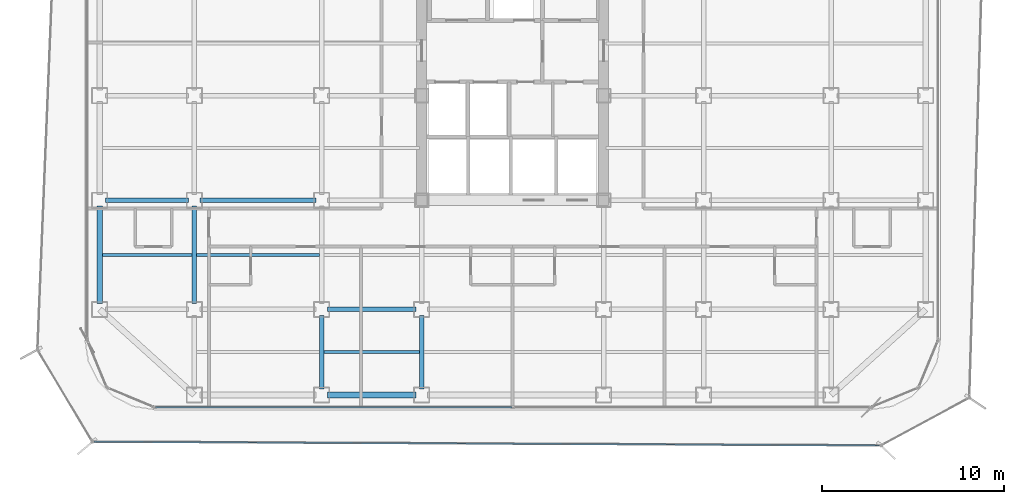
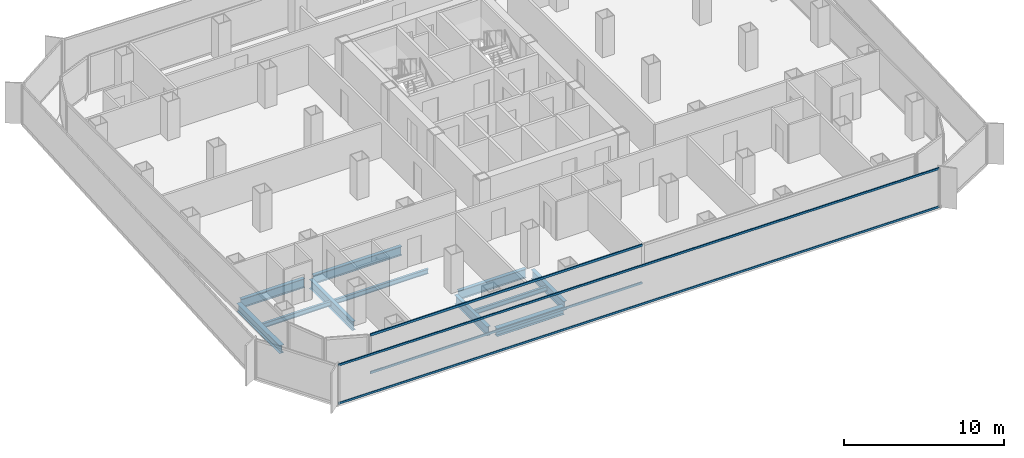
# One storey, part 3 of 21: 11 beams, 4 members, 2 elements without a shape of their own.
"""IFC4 building model written with IfcOpenShell, lengths in metres."""

from ifc_helpers import new_model, si_unit, direction, frame, origin, origin_2d, place, context, subcontext, project, spatial, hollow_rectangle, i_section, extrude, source, transform, mapped, material, layer, layer_set, material_profile, profile_set, type_object, element, aggregate, save


model = new_model("IFC4")

# Units and contexts
model_context = context("Model", 3, precision=1e-05, world=origin(), true_north=direction((0.0, 1.0)))
body_context = subcontext(model_context, "Body", "Model", "MODEL_VIEW")
ifc_project = project(units=[si_unit("LENGTHUNIT", "METRE"), si_unit("AREAUNIT", "SQUARE_METRE"), si_unit("VOLUMEUNIT", "CUBIC_METRE"), si_unit("PLANEANGLEUNIT", "RADIAN"), si_unit("MASSUNIT", "GRAM", prefix="KILO")], contexts=[model_context])

# Site, building, storey
site_placement = place(None, origin())
site = spatial("IfcSite", under=ifc_project, at=site_placement, CompositionType="ELEMENT")
building_placement = place(site_placement, origin())
building = spatial("IfcBuilding", under=site, at=building_placement, Name="Kolveth Station Tower", CompositionType="ELEMENT")
storey_placement = place(building_placement, frame((0.0, 0.0, 92.699951171875)))
storey = spatial("IfcBuildingStorey", under=building, at=storey_placement, Name="L24", CompositionType="ELEMENT", Elevation=92.699951171875)

# Beams
ifc_material_1 = material(Name="Steel S355", Category="steel")
ifc_material_profile_1 = material_profile(ifc_material_1, i_section(OverallWidth=0.323974609375, OverallDepth=0.611083984375, WebThickness=0.0126953125, FlangeThickness=0.01904296875, at=origin_2d()), Name="W610x155")
ifc_profile_set_1 = profile_set([ifc_material_profile_1], Name="Steel S355")
beam_type_1 = type_object("IfcBeamType", Name="Beam_SP2", PredefinedType="SPANDREL", material=ifc_profile_set_1)
shared_shape_1 = source(origin(), body_context, "Body", "SweptSolid", [
    extrude(i_section(OverallWidth=0.323974609375, OverallDepth=0.611083984375, WebThickness=0.0126953125, FlangeThickness=0.01904296875, at=origin_2d()), origin(), (0.0, 0.0, 1.0), 4.85986328125),
])
beam_1_placement = place(storey_placement, frame((13.320068359375, 0.800048828125, -0.555419921875), z_axis=(1.0, 0.0, 0.0), x_axis=(0.0, 1.0, 0.0)))
element("IfcBeam", 1, at=beam_1_placement, inside=storey, type_object=beam_type_1, Name="L24 Perimeter Spandrel BM-L24-PS-2", PredefinedType="SPANDREL", context=body_context, shape_type="MappedRepresentation", body=[
    mapped(shared_shape_1, transform((0.0, 0.0, 0.0), x_axis=(1.0, 0.0, 0.0), y_axis=(0.0, 1.0, 0.0), z_axis=(0.0, 0.0, 1.0), scale=1.0)),
])
shared_shape_2 = source(origin(), body_context, "Body", "SweptSolid", [
    extrude(i_section(OverallWidth=0.323974609375, OverallDepth=0.611083984375, WebThickness=0.0126953125, FlangeThickness=0.01904296875, at=origin_2d()), origin(), (0.0, 0.0, 1.0), 5.35986328125),
])
beam_2_placement = place(storey_placement, frame((0.800048828125, 5.820068359375, -0.555419921875), z_axis=(0.0, 1.0, 0.0), x_axis=(-1.0, 0.0, 0.0)))
element("IfcBeam", 2, at=beam_2_placement, inside=storey, type_object=beam_type_1, Name="L24 Perimeter Spandrel BM-L24-PW-1", PredefinedType="SPANDREL", context=body_context, shape_type="MappedRepresentation", body=[
    mapped(shared_shape_2, transform((0.0, 0.0, 0.0), x_axis=(1.0, 0.0, 0.0), y_axis=(0.0, 1.0, 0.0), z_axis=(0.0, 0.0, 1.0), scale=1.0)),
])
ifc_material_profile_2 = material_profile(ifc_material_1, i_section(OverallWidth=0.25390625, OverallDepth=0.68798828125, WebThickness=0.01318359375, FlangeThickness=0.02099609375, at=origin_2d()), Name="W690x152")
ifc_profile_set_2 = profile_set([ifc_material_profile_2], Name="Steel S355")
beam_type_2 = type_object("IfcBeamType", Name="Beam_B4", PredefinedType="BEAM", material=ifc_profile_set_2)
shared_shape_3 = source(origin(), body_context, "Body", "SweptSolid", [
    extrude(i_section(OverallWidth=0.25390625, OverallDepth=0.68798828125, WebThickness=0.01318359375, FlangeThickness=0.02099609375, at=origin_2d()), origin(), (0.0, 0.0, 1.0), 4.559814453125),
])
beam_3_placement = place(storey_placement, frame((1.1201171875, 11.5, -0.593994140625), z_axis=(1.0, 0.0, 0.0), x_axis=(0.0, 1.0, 0.0)))
element("IfcBeam", 3, at=beam_3_placement, inside=storey, type_object=beam_type_2, Name="L24 Primary Girder BM-L24-GY115-1", PredefinedType="BEAM", context=body_context, shape_type="MappedRepresentation", body=[
    mapped(shared_shape_3, transform((0.0, 0.0, 0.0), x_axis=(1.0, 0.0, 0.0), y_axis=(0.0, 1.0, 0.0), z_axis=(0.0, 0.0, 1.0), scale=1.0)),
])
shared_shape_4 = source(origin(), body_context, "Body", "SweptSolid", [
    extrude(i_section(OverallWidth=0.25390625, OverallDepth=0.68798828125, WebThickness=0.01318359375, FlangeThickness=0.02099609375, at=origin_2d()), origin(), (0.0, 0.0, 1.0), 6.35986328125),
])
beam_4_placement = place(storey_placement, frame((6.320068359375, 11.5, -0.593994140625), z_axis=(1.0, 0.0, 0.0), x_axis=(0.0, 1.0, 0.0)))
element("IfcBeam", 4, at=beam_4_placement, inside=storey, type_object=beam_type_2, Name="L24 Primary Girder BM-L24-GY115-2", PredefinedType="BEAM", context=body_context, shape_type="MappedRepresentation", body=[
    mapped(shared_shape_4, transform((0.0, 0.0, 0.0), x_axis=(1.0, 0.0, 0.0), y_axis=(0.0, 1.0, 0.0), z_axis=(0.0, 0.0, 1.0), scale=1.0)),
])
shared_shape_5 = source(origin(), body_context, "Body", "SweptSolid", [
    extrude(i_section(OverallWidth=0.25390625, OverallDepth=0.68798828125, WebThickness=0.01318359375, FlangeThickness=0.02099609375, at=origin_2d()), origin(), (0.0, 0.0, 1.0), 4.85986328125),
])
beam_5_placement = place(storey_placement, frame((13.320068359375, 5.5, -0.593994140625), z_axis=(1.0, 0.0, 0.0), x_axis=(0.0, 1.0, 0.0)))
element("IfcBeam", 5, at=beam_5_placement, inside=storey, type_object=beam_type_2, Name="L24 Primary Girder BM-L24-GY55-3", PredefinedType="BEAM", context=body_context, shape_type="MappedRepresentation", body=[
    mapped(shared_shape_5, transform((0.0, 0.0, 0.0), x_axis=(1.0, 0.0, 0.0), y_axis=(0.0, 1.0, 0.0), z_axis=(0.0, 0.0, 1.0), scale=1.0)),
])
shared_shape_6 = source(origin(), body_context, "Body", "SweptSolid", [
    extrude(i_section(OverallWidth=0.25390625, OverallDepth=0.68798828125, WebThickness=0.01318359375, FlangeThickness=0.02099609375, at=origin_2d()), origin(), (0.0, 0.0, 1.0), 4.059814453125),
])
for number, where, z_axis, x_axis, name in (
    (6, (13.0, 1.1201171875, -0.593994140625), (0.0, 1.0, 0.0), (-1.0, 0.0, 0.0), "L24 Primary Girder BM-L24-GX130-1"),
    (7, (18.5, 1.1201171875, -0.593994140625), (0.0, 1.0, 0.0), (-1.0, 0.0, 0.0), "L24 Primary Girder BM-L24-GX185-1"),
):
    element("IfcBeam", number, at=place(storey_placement, frame(where, z_axis=z_axis, x_axis=x_axis)), inside=storey, type_object=beam_type_2, Name=name, PredefinedType="BEAM", context=body_context, shape_type="MappedRepresentation", body=[
        mapped(shared_shape_6, transform((0.0, 0.0, 0.0), x_axis=(1.0, 0.0, 0.0), y_axis=(0.0, 1.0, 0.0), z_axis=(0.0, 0.0, 1.0), scale=1.0)),
    ])
shared_shape_7 = source(origin(), body_context, "Body", "SweptSolid", [
    extrude(i_section(OverallWidth=0.25390625, OverallDepth=0.68798828125, WebThickness=0.01318359375, FlangeThickness=0.02099609375, at=origin_2d()), origin(), (0.0, 0.0, 1.0), 5.35986328125),
])
beam_6_placement = place(storey_placement, frame((6.0, 5.820068359375, -0.593994140625), z_axis=(0.0, 1.0, 0.0), x_axis=(-1.0, 0.0, 0.0)))
element("IfcBeam", 8, at=beam_6_placement, inside=storey, type_object=beam_type_2, Name="L24 Primary Girder BM-L24-GX60-2", PredefinedType="BEAM", context=body_context, shape_type="MappedRepresentation", body=[
    mapped(shared_shape_7, transform((0.0, 0.0, 0.0), x_axis=(1.0, 0.0, 0.0), y_axis=(0.0, 1.0, 0.0), z_axis=(0.0, 0.0, 1.0), scale=1.0)),
])
ifc_material_profile_3 = material_profile(ifc_material_1, i_section(OverallWidth=0.1708984375, OverallDepth=0.35205078125, WebThickness=0.0068359375, FlangeThickness=0.009765625, at=origin_2d()), Name="W360x44")
ifc_profile_set_3 = profile_set([ifc_material_profile_3], Name="Steel S355")
beam_type_3 = type_object("IfcBeamType", Name="Beam_J2", PredefinedType="JOIST", material=ifc_profile_set_3)
shared_shape_8 = source(origin(), body_context, "Body", "SweptSolid", [
    extrude(i_section(OverallWidth=0.1708984375, OverallDepth=0.35205078125, WebThickness=0.0068359375, FlangeThickness=0.009765625, at=origin_2d()), origin(), (0.0, 0.0, 1.0), 4.9150390625),
])
beam_7_placement = place(storey_placement, frame((0.9599609375, 8.5, -0.426025390625), z_axis=(1.0, 0.0, 0.0), x_axis=(0.0, 1.0, 0.0)))
element("IfcBeam", 9, at=beam_7_placement, inside=storey, type_object=beam_type_3, Name="L24 Secondary Joist JST-L24-1-2", PredefinedType="JOIST", context=body_context, shape_type="MappedRepresentation", body=[
    mapped(shared_shape_8, transform((0.0, 0.0, 0.0), x_axis=(1.0, 0.0, 0.0), y_axis=(0.0, 1.0, 0.0), z_axis=(0.0, 0.0, 1.0), scale=1.0)),
])
shared_shape_9 = source(origin(), body_context, "Body", "SweptSolid", [
    extrude(i_section(OverallWidth=0.1708984375, OverallDepth=0.35205078125, WebThickness=0.0068359375, FlangeThickness=0.009765625, at=origin_2d()), origin(), (0.0, 0.0, 1.0), 6.75),
])
beam_8_placement = place(storey_placement, frame((6.125, 8.5, -0.426025390625), z_axis=(1.0, 0.0, 0.0), x_axis=(0.0, 1.0, 0.0)))
element("IfcBeam", 10, at=beam_8_placement, inside=storey, type_object=beam_type_3, Name="L24 Secondary Joist JST-L24-2-2", PredefinedType="JOIST", context=body_context, shape_type="MappedRepresentation", body=[
    mapped(shared_shape_9, transform((0.0, 0.0, 0.0), x_axis=(1.0, 0.0, 0.0), y_axis=(0.0, 1.0, 0.0), z_axis=(0.0, 0.0, 1.0), scale=1.0)),
])
shared_shape_10 = source(origin(), body_context, "Body", "SweptSolid", [
    extrude(i_section(OverallWidth=0.1708984375, OverallDepth=0.35205078125, WebThickness=0.0068359375, FlangeThickness=0.009765625, at=origin_2d()), origin(), (0.0, 0.0, 1.0), 5.25),
])
beam_9_placement = place(storey_placement, frame((13.125, 3.14990234375, -0.426025390625), z_axis=(1.0, 0.0, 0.0), x_axis=(0.0, 1.0, 0.0)))
element("IfcBeam", 11, at=beam_9_placement, inside=storey, type_object=beam_type_3, Name="L24 Secondary Joist JST-L24-3-1", PredefinedType="JOIST", context=body_context, shape_type="MappedRepresentation", body=[
    mapped(shared_shape_10, transform((0.0, 0.0, 0.0), x_axis=(1.0, 0.0, 0.0), y_axis=(0.0, 1.0, 0.0), z_axis=(0.0, 0.0, 1.0), scale=1.0)),
])

# Curtain wall, members
ifc_material_2 = material(Name="Aluminium 6063-T6 and low-E dark glass", Category="aluminium")
ifc_layer_1 = layer(ifc_material_2, 0.18994140625)
ifc_layer_set_1 = layer_set([ifc_layer_1], Name="Aluminium 6063-T6 and low-E dark glass")
curtain_wall_type_1 = type_object("IfcCurtainWallType", Name="CurtainWall_CW-Z2", PredefinedType="NOTDEFINED", material=ifc_layer_set_1)
curtain_wall_1_placement = place(storey_placement, origin())
curtain_wall_1 = element("IfcCurtainWall", 12, at=curtain_wall_1_placement, inside=storey, type_object=curtain_wall_type_1, Name="L24 Inner Thermal Curtain Wall 12", PredefinedType="NOTDEFINED")
ifc_material_3 = material(Name="Black anodized aluminium 6063-T6", Category="aluminium")
ifc_material_profile_4 = material_profile(ifc_material_3, hollow_rectangle(XDim=0.080078125, YDim=0.169921875, WallThickness=0.0048828125, at=origin_2d()), Name="ALU-80x170x5")
ifc_profile_set_4 = profile_set([ifc_material_profile_4], Name="Black anodized aluminium 6063-T6")
member_type_1 = type_object("IfcMemberType", Name="Transom_TR2", PredefinedType="USERDEFINED", material=ifc_profile_set_4)
shared_shape_11 = source(origin(), body_context, "Body", "SweptSolid", [
    extrude(hollow_rectangle(XDim=0.080078125, YDim=0.169921875, WallThickness=0.0048828125, at=origin_2d()), origin(), (0.0, 0.0, 1.0), 19.580078125),
])
member_1_placement = place(storey_placement, frame((3.8798828125, 0.1201171875, 0.0400390625), z_axis=(1.0, 0.0, 0.0), x_axis=(0.0, 1.0, 0.0)))
member_1 = element("IfcMember", 13, at=member_1_placement, type_object=member_type_1, Name="CW-Z2 transom 1.1", ObjectType="TRANSOM", PredefinedType="USERDEFINED", context=body_context, shape_type="MappedRepresentation", body=[
    mapped(shared_shape_11, transform((0.0, 0.0, 0.0), x_axis=(1.0, 0.0, 0.0), y_axis=(0.0, 1.0, 0.0), z_axis=(0.0, 0.0, 1.0), scale=1.0)),
])
member_2_placement = place(storey_placement, frame((3.8798828125, 0.1201171875, 2.91015625), z_axis=(1.0, 0.0, 0.0), x_axis=(0.0, 1.0, 0.0)))
member_2 = element("IfcMember", 14, at=member_2_placement, type_object=member_type_1, Name="CW-Z2 transom 1.2", ObjectType="TRANSOM", PredefinedType="USERDEFINED", context=body_context, shape_type="MappedRepresentation", body=[
    mapped(shared_shape_11, transform((0.0, 0.0, 0.0), x_axis=(1.0, 0.0, 0.0), y_axis=(0.0, 1.0, 0.0), z_axis=(0.0, 0.0, 1.0), scale=1.0)),
])
aggregate(curtain_wall_1, [member_1, member_2])

ifc_material_4 = material(Name="Black anodized aluminium 6063-T6 and dark solar glass", Category="aluminium")
ifc_layer_2 = layer(ifc_material_4, 0.159912109375)
ifc_layer_set_2 = layer_set([ifc_layer_2], Name="Black anodized aluminium 6063-T6 and dark solar glass")
curtain_wall_type_2 = type_object("IfcCurtainWallType", Name="OUTER SKIN CW-OS", PredefinedType="NOTDEFINED", material=ifc_layer_set_2)
curtain_wall_2_placement = place(storey_placement, origin())
curtain_wall_2 = element("IfcCurtainWall", 15, at=curtain_wall_2_placement, inside=storey, type_object=curtain_wall_type_2, Name="L24 Outer Ventilated Skin Curtain Wall 8", PredefinedType="NOTDEFINED")
ifc_material_profile_5 = material_profile(ifc_material_3, hollow_rectangle(XDim=0.080078125, YDim=0.14990234375, WallThickness=0.0048828125, at=origin_2d()), Name="ALU-80x150x5")
ifc_profile_set_5 = profile_set([ifc_material_profile_5], Name="Black anodized aluminium 6063-T6")
member_type_2 = type_object("IfcMemberType", Name="Transom_TR-OS", PredefinedType="USERDEFINED", material=ifc_profile_set_5)
shared_shape_12 = source(origin(), body_context, "Body", "SweptSolid", [
    extrude(hollow_rectangle(XDim=0.080078125, YDim=0.14990234375, WallThickness=0.0048828125, at=origin_2d()), origin(), (0.0, 0.0, 1.0), 43.156982421875),
])
member_3_placement = place(storey_placement, frame((0.495849609375, -1.772216796875, 0.0400390625), z_axis=(0.999988547744, -0.004785852222, 0.0), x_axis=(0.004785852222, 0.999988547744, 0.0)))
member_3 = element("IfcMember", 16, at=member_3_placement, type_object=member_type_2, Name="CW-OS transom 1.1", ObjectType="TRANSOM", PredefinedType="USERDEFINED", context=body_context, shape_type="MappedRepresentation", body=[
    mapped(shared_shape_12, transform((0.0, 0.0, 0.0), x_axis=(1.0, 0.0, 0.0), y_axis=(0.0, 1.0, 0.0), z_axis=(0.0, 0.0, 1.0), scale=1.0)),
])
member_4_placement = place(storey_placement, frame((0.495849609375, -1.772216796875, 2.949951171875), z_axis=(0.999988547744, -0.004785852222, 0.0), x_axis=(0.004785852222, 0.999988547744, 0.0)))
member_4 = element("IfcMember", 17, at=member_4_placement, type_object=member_type_2, Name="CW-OS transom 1.2", ObjectType="TRANSOM", PredefinedType="USERDEFINED", context=body_context, shape_type="MappedRepresentation", body=[
    mapped(shared_shape_12, transform((0.0, 0.0, 0.0), x_axis=(1.0, 0.0, 0.0), y_axis=(0.0, 1.0, 0.0), z_axis=(0.0, 0.0, 1.0), scale=1.0)),
])
aggregate(curtain_wall_2, [member_3, member_4])

save(model, "model.ifc")
